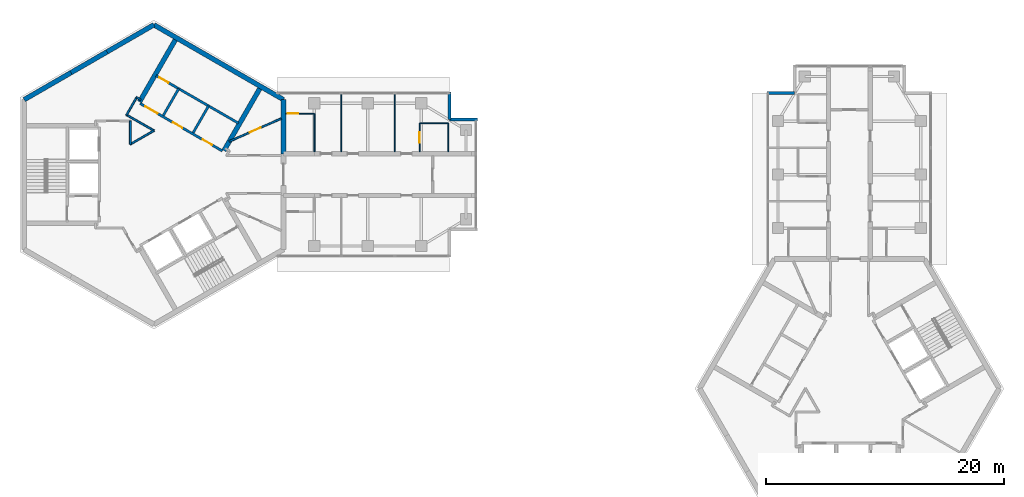
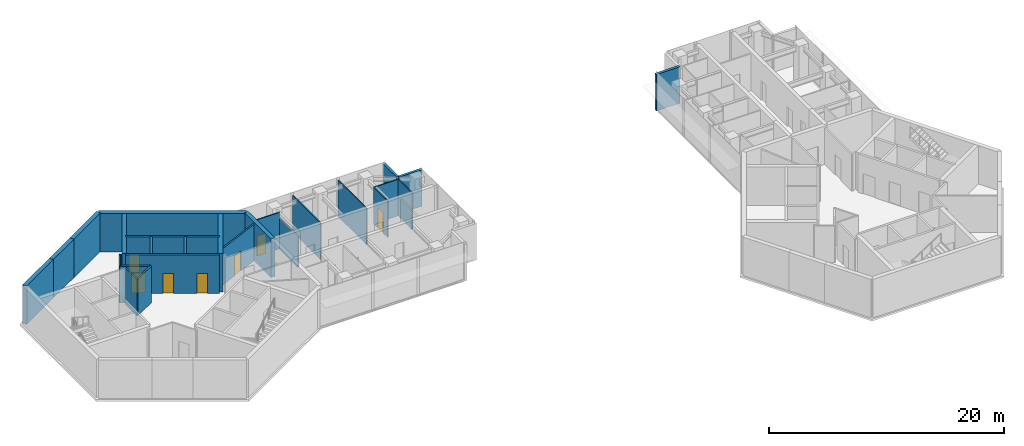
# One storey, part 7 of 11: 27 walls, 7 doors, 7 openings.
"""IFC4 building model written with IfcOpenShell, lengths in metres."""

import ifcopenshell
import ifcopenshell.guid

model = None  # the IFC model being written
_history = None  # IfcOwnerHistory: only IFC2X3 demands one
_inside = {}  # id of a spatial element -> (the spatial element, [elements in it])
_under = {}  # id of a project, library or spatial element -> (it, [spatial elements below it])
_declared = {}  # id of a project -> (the project, [libraries it declares])
_typed = {}  # id of a type object -> (the type object, [elements of that type])
_made_of = {}  # id of a material, layer set ... -> (it, [elements and type objects made of it])


def new_model(schema):
    """Start an empty IFC model of exactly this schema.

    Asked for "IFC4X3", IfcOpenShell would pick the latest addendum, in which some entities
    have other attributes; the version numbers below select the first issue.
    IFC2X3 requires an IfcOwnerHistory on every rooted entity: one is made here for all.
    """
    global model, _history
    if schema == "IFC4X3":
        model = ifcopenshell.file(schema_version=(4, 3, 0, 0))
    else:
        model = ifcopenshell.file(schema=schema)
    _inside.clear()
    _under.clear()
    _declared.clear()
    _typed.clear()
    _made_of.clear()
    _history = None
    if model.schema == "IFC2X3":
        org = make("IfcOrganization", Name="unknown")
        user = make(
            "IfcPersonAndOrganization",
            ThePerson=make("IfcPerson", FamilyName="unknown"),
            TheOrganization=org,
        )
        app = make(
            "IfcApplication",
            ApplicationDeveloper=org,
            Version="unknown",
            ApplicationFullName="unknown",
            ApplicationIdentifier="unknown",
        )
        _history = make(
            "IfcOwnerHistory",
            OwningUser=user,
            OwningApplication=app,
            ChangeAction="ADDED",
            CreationDate=0,
        )
    return model


def make(cls, **values):
    """One entity of the class cls with the attributes given. An attribute that is None is left unset."""
    return model.create_entity(
        cls, **{name: value for name, value in values.items() if value is not None}
    )


def rooted(cls, **values):
    """An entity with a GlobalId (a new one), such as an element, a storey or a relation."""
    return make(cls, GlobalId=ifcopenshell.guid.new(), OwnerHistory=_history, **values)


def si_unit(unit_type, name, prefix=None):
    """IfcSIUnit, for example si_unit("LENGTHUNIT", "METRE", prefix="MILLI")."""
    return make("IfcSIUnit", UnitType=unit_type, Prefix=prefix, Name=name)


def assignment(units):
    """IfcUnitAssignment: the units of a project."""
    return None if units is None else make("IfcUnitAssignment", Units=units)


def point(xyz):
    """IfcCartesianPoint."""
    return None if xyz is None else make("IfcCartesianPoint", Coordinates=xyz)


def direction(xyz):
    """IfcDirection."""
    return None if xyz is None else make("IfcDirection", DirectionRatios=xyz)


def frame(location, z_axis=None, x_axis=None):
    """IfcAxis2Placement3D, a coordinate frame: its origin and axes. An axis left out is left unset."""
    return make(
        "IfcAxis2Placement3D",
        Location=point(location),
        Axis=direction(z_axis),
        RefDirection=direction(x_axis),
    )


def frame_2d(location, x_axis=None):
    """IfcAxis2Placement2D, a coordinate frame in the plane: its origin and x axis."""
    return make(
        "IfcAxis2Placement2D", Location=point(location), RefDirection=direction(x_axis)
    )


def origin():
    """The frame at (0, 0, 0) with its axes left unset."""
    return frame((0.0, 0.0, 0.0))


def place(relative_to, where):
    """IfcLocalPlacement: puts the frame where relative to a parent placement (None: the world)."""
    return make(
        "IfcLocalPlacement", PlacementRelTo=relative_to, RelativePlacement=where
    )


def context(
    kind, dimensions, precision=None, world=None, true_north=None, identifier=None
):
    """IfcGeometricRepresentationContext, for example the 3D "Model" context."""
    return make(
        "IfcGeometricRepresentationContext",
        ContextIdentifier=identifier,
        ContextType=kind,
        CoordinateSpaceDimension=dimensions,
        Precision=precision,
        WorldCoordinateSystem=world,
        TrueNorth=true_north,
    )


def subcontext(parent, identifier, kind, view, scale=None):
    """IfcGeometricRepresentationSubContext, for example "Body" below "Model"."""
    return make(
        "IfcGeometricRepresentationSubContext",
        ContextIdentifier=identifier,
        ContextType=kind,
        ParentContext=parent,
        TargetScale=scale,
        TargetView=view,
    )


def project(units=None, contexts=None):
    """IfcProject with its units and contexts."""
    return rooted(
        "IfcProject",
        Name="project",
        RepresentationContexts=contexts,
        UnitsInContext=assignment(units),
    )


def spatial(cls, under=None, at=None, **own):
    """A site, building, storey or space (cls), placed at a placement, below another one or the project."""
    s = rooted(cls, ObjectPlacement=at, **own)
    if under is not None:
        _under.setdefault(under.id(), (under, []))[1].append(s)
    return s


def profile(cls, at=None, kind="AREA", **sizes):
    """A parametric profile (cls). Its sizes go by their IFC names, for example OverallWidth=200.0."""
    return make(cls, ProfileType=kind, Position=at, **sizes)


def rectangle(**sizes):
    """IfcRectangleProfileDef."""
    return profile("IfcRectangleProfileDef", **sizes)


def extrude(swept, where, along, depth):
    """IfcExtrudedAreaSolid: the profile swept, set in the frame where, extruded along a direction by depth."""
    return make(
        "IfcExtrudedAreaSolid",
        SweptArea=swept,
        Position=where,
        ExtrudedDirection=direction(along),
        Depth=depth,
    )


def shape(context_of_items, identifier, shape_type, items):
    """IfcShapeRepresentation: the items that make up one representation, for example the "Body"."""
    return make(
        "IfcShapeRepresentation",
        ContextOfItems=context_of_items,
        RepresentationIdentifier=identifier,
        RepresentationType=shape_type,
        Items=items,
    )


def material(Name=None, Category=None):
    """IfcMaterial."""
    return make("IfcMaterial", Name=Name, Category=Category)


def layer(
    of_material, thickness, ventilated=None, Name=None, Category=None, Priority=None
):
    """IfcMaterialLayer: one layer of a wall or slab, of a material (None: an air gap)."""
    return make(
        "IfcMaterialLayer",
        Material=of_material,
        LayerThickness=thickness,
        IsVentilated=ventilated,
        Name=Name,
        Category=Category,
        Priority=Priority,
    )


def layer_set(layers, Name=None):
    """IfcMaterialLayerSet."""
    return make("IfcMaterialLayerSet", MaterialLayers=layers, LayerSetName=Name)


def made_of(thing, what):
    """Note that an element or type object is made of a material, layer set ...; save() writes the relation."""
    if what is not None:
        _made_of.setdefault(what.id(), (what, []))[1].append(thing)
    return thing


def type_object(cls, material=None, **own):
    """A type object (cls), such as IfcWallType, which elements share."""
    return made_of(rooted(cls, **own), material)


def element(
    cls,
    number,
    at=None,
    inside=None,
    cuts=None,
    type_object=None,
    material=None,
    context=None,
    identifier="Body",
    shape_type=None,
    held_by="IfcProductDefinitionShape",
    body=None,
    shapes=None,
    **own,
):
    """One element of the class cls, such as IfcWall. Its Tag is "e" and its number.

    at: its placement. inside: the storey or other place that contains it. cuts: it is an
    opening in that element (IfcRelVoidsElement). A single representation is given by context,
    identifier, shape_type and body (its items); several are given by shapes. held_by: the class
    of the entity that holds the representations. save() writes the other relations.
    """
    e = rooted(cls, Tag="e%d" % number, ObjectPlacement=at, **own)
    if body is not None:
        shapes = [shape(context, identifier, shape_type, body)]
    if shapes is not None:
        e.Representation = make(held_by, Representations=shapes)
    if inside is not None:
        _inside.setdefault(inside.id(), (inside, []))[1].append(e)
    if cuts is not None:
        rooted(
            "IfcRelVoidsElement", RelatingBuildingElement=cuts, RelatedOpeningElement=e
        )
    if type_object is not None:
        _typed.setdefault(type_object.id(), (type_object, []))[1].append(e)
    return made_of(e, material)


def fill(opening, filler):
    """IfcRelFillsElement: the door or window that sits in an opening."""
    return rooted(
        "IfcRelFillsElement",
        RelatingOpeningElement=opening,
        RelatedBuildingElement=filler,
    )


def aggregate(whole, parts):
    """IfcRelAggregates: a whole, such as a stair, and the parts it consists of."""
    return rooted("IfcRelAggregates", RelatingObject=whole, RelatedObjects=parts)


def save(model, path):
    """Write the relations noted so far, then the file.

    IfcRelAggregates (storeys below a building ...), IfcRelContainedInSpatialStructure (elements
    in a storey), IfcRelDefinesByType, IfcRelAssociatesMaterial and IfcRelDeclares: one each for
    every whole, place, type object, material and project.
    """
    for whole, parts in _under.values():
        aggregate(whole, parts)
    for where, things in _inside.values():
        rooted(
            "IfcRelContainedInSpatialStructure",
            RelatedElements=things,
            RelatingStructure=where,
        )
    for kind, things in _typed.values():
        rooted("IfcRelDefinesByType", RelatedObjects=things, RelatingType=kind)
    for what, things in _made_of.values():
        rooted("IfcRelAssociatesMaterial", RelatedObjects=things, RelatingMaterial=what)
    for by, libraries in _declared.values():
        rooted("IfcRelDeclares", RelatingContext=by, RelatedDefinitions=libraries)
    model.write(path)


model = new_model("IFC4")

# Units and contexts
model_context = context("Model", 3, precision=1e-05, world=origin(), true_north=direction((0.0, 1.0)))
body_context = subcontext(model_context, "Body", "Model", "MODEL_VIEW")
ifc_project = project(units=[si_unit("LENGTHUNIT", "METRE"), si_unit("AREAUNIT", "SQUARE_METRE"), si_unit("VOLUMEUNIT", "CUBIC_METRE"), si_unit("PLANEANGLEUNIT", "RADIAN"), si_unit("MASSUNIT", "GRAM", prefix="KILO")], contexts=[model_context])

# Site, building, storey
site_placement = place(None, origin())
site = spatial("IfcSite", under=ifc_project, at=site_placement, CompositionType="ELEMENT")
building_placement = place(site_placement, origin())
building = spatial("IfcBuilding", under=site, at=building_placement, Name="Upepo Twin Towers", CompositionType="ELEMENT")
storey_placement = place(building_placement, frame((0.0, 0.0, 267.5)))
storey = spatial("IfcBuildingStorey", under=building, at=storey_placement, Name="L65", CompositionType="ELEMENT", Elevation=267.5)

# Walls
ifc_material_1 = material(Name="Concrete C60/75", Category="concrete")
ifc_layer_1 = layer(ifc_material_1, 0.39990234375)
ifc_layer_set_1 = layer_set([ifc_layer_1], Name="Concrete C60/75")
wall_type_1 = type_object("IfcWallType", Name="Core wall 400 RC", PredefinedType="SHEAR", material=ifc_layer_set_1)
wall_1_placement = place(storey_placement, frame((10.908447265625, 1.75, 0.0), z_axis=(0.0, 0.0, 1.0), x_axis=(0.0, 1.0, 0.0)))
element("IfcWall", 1, at=wall_1_placement, inside=storey, type_object=wall_type_1, Name="T1 core wall 000 L", PredefinedType="SHEAR", context=body_context, shape_type="SweptSolid", body=[
    extrude(rectangle(XDim=4.5478515625, YDim=0.39990234375, at=frame_2d((2.27392578125, 0.0))), origin(), (0.0, 0.0, 1.0), 4.0),
])
wall_2_placement = place(storey_placement, frame((10.908447265625, 6.2978515625, 0.0), z_axis=(0.0, 0.0, 1.0), x_axis=(-0.866021940709, 0.500005998175, 0.0)))
element("IfcWall", 2, at=wall_2_placement, inside=storey, type_object=wall_type_1, Name="T1 core wall 060", PredefinedType="SHEAR", context=body_context, shape_type="SweptSolid", body=[
    extrude(rectangle(XDim=12.595947265625, YDim=0.39990234375, at=frame_2d((6.2978515625, 0.0))), origin(), (0.0, 0.0, 1.0), 4.0),
])
wall_3_placement = place(storey_placement, frame((0.0, 12.595947265625, 0.0), z_axis=(0.0, 0.0, 1.0), x_axis=(-0.866011268655, -0.500024481964, 0.0)))
element("IfcWall", 3, at=wall_3_placement, inside=storey, type_object=wall_type_1, Name="T1 core wall 120 R", PredefinedType="SHEAR", context=body_context, shape_type="SweptSolid", body=[
    extrude(rectangle(XDim=4.548095703125, YDim=0.39990234375, at=frame_2d((2.27392578125, 0.0))), origin(), (0.0, 0.0, 1.0), 4.0),
])
wall_4_placement = place(storey_placement, frame((-3.938720703125, 10.32177734375, 0.0), z_axis=(0.0, 0.0, 1.0), x_axis=(-0.866019471182, -0.500010275428, 0.0)))
element("IfcWall", 4, at=wall_4_placement, inside=storey, type_object=wall_type_1, Name="T1 core wall 120", PredefinedType="SHEAR", context=body_context, shape_type="SweptSolid", body=[
    extrude(rectangle(XDim=3.5, YDim=0.39990234375, at=frame_2d((1.75, 0.0))), origin(), (0.0, 0.0, 1.0), 4.0),
])
wall_5_placement = place(storey_placement, frame((-6.9697265625, 8.57177734375, 0.0), z_axis=(0.0, 0.0, 1.0), x_axis=(-0.866034513004, -0.499984222037, 0.0)))
element("IfcWall", 5, at=wall_5_placement, inside=storey, type_object=wall_type_1, Name="T1 core wall 120 L", PredefinedType="SHEAR", context=body_context, shape_type="SweptSolid", body=[
    extrude(rectangle(XDim=4.548095703125, YDim=0.39990234375, at=frame_2d((2.27392578125, 0.0))), origin(), (0.0, 0.0, 1.0), 4.0),
])
ifc_material_2 = material(Name="Blockwork with anodised aluminium cladding", Category="masonry")
ifc_layer_2 = layer(ifc_material_2, 0.25)
ifc_layer_set_2 = layer_set([ifc_layer_2], Name="Notch cladding wall 250, pale metal")
wall_type_2 = type_object("IfcWallType", Name="Notch cladding wall 250, pale metal", PredefinedType="STANDARD", material=ifc_layer_set_2)
for number, where, z_axis, x_axis, name in (
    (6, (24.875, 6.949951171875, 0.0), (0.0, 0.0, 1.0), (0.0, -1.0, 0.0), "T1 L65 wing A notch wall L1"),
    (7, (24.875, 4.625, 0.0), (0.0, 0.0, 1.0), (1.0, 0.0, 0.0), "T1 L65 wing A notch wall L2"),
    (8, (51.550048828125, 6.875, 0.0), (0.0, 0.0, 1.0), (1.0, 0.0, 0.0), "T2 L65 wing A notch wall L1"),
):
    element("IfcWall", number, at=place(storey_placement, frame(where, z_axis=z_axis, x_axis=x_axis)), inside=storey, type_object=wall_type_2, Name=name, PredefinedType="STANDARD", context=body_context, shape_type="SweptSolid", body=[
        extrude(rectangle(XDim=2.324951171875, YDim=0.25, at=frame_2d((1.16259765625, 0.0))), origin(), (0.0, 0.0, 1.0), 3.800048828125),
    ])
ifc_material_3 = material(Name="Gypsum board on steel studs", Category="steel")
ifc_layer_3 = layer(ifc_material_3, 0.10009765625)
ifc_layer_set_3 = layer_set([ifc_layer_3], Name="Office partition 100 stud")
wall_type_3 = type_object("IfcWallType", Name="Office partition 100 stud", PredefinedType="PARTITIONING", material=ifc_layer_set_3)
for number, where, z_axis, x_axis, name in (
    (9, (15.75, 1.925048828125, 0.0), (0.0, 0.0, 1.0), (0.0, 1.0, 0.0), "T1 partition AL at 15.75"),
    (10, (20.25, 1.925048828125, 0.0), (0.0, 0.0, 1.0), (0.0, 1.0, 0.0), "T1 partition AL at 20.25"),
):
    element("IfcWall", number, at=place(storey_placement, frame(where, z_axis=z_axis, x_axis=x_axis)), inside=storey, type_object=wall_type_3, Name=name, PredefinedType="PARTITIONING", context=body_context, shape_type="SweptSolid", body=[
        extrude(rectangle(XDim=4.824951171875, YDim=0.10009765625, at=frame_2d((2.41259765625, 0.0))), origin(), (0.0, 0.0, 1.0), 3.800048828125),
    ])
wall_6_placement = place(storey_placement, frame((22.35009765625, 4.324951171875, 0.0), z_axis=(0.0, 0.0, 1.0), x_axis=(1.0, 0.0, 0.0)))
element("IfcWall", 11, at=wall_6_placement, inside=storey, type_object=wall_type_3, Name="T1 inner room partition AL at 22.35", PredefinedType="PARTITIONING", context=body_context, shape_type="SweptSolid", body=[
    extrude(rectangle(XDim=2.39990234375, YDim=0.10009765625, at=frame_2d((1.199951171875, 0.0))), origin(), (0.0, 0.0, 1.0), 3.800048828125),
])

# Wall, opening, door
wall_7_placement = place(storey_placement, frame((22.35009765625, 1.925048828125, 0.0), z_axis=(0.0, 0.0, 1.0), x_axis=(0.0, 1.0, 0.0)))
wall_7 = element("IfcWall", 12, at=wall_7_placement, inside=storey, type_object=wall_type_3, Name="T1 inner room partition AL end at 22.35", PredefinedType="PARTITIONING", context=body_context, shape_type="SweptSolid", body=[
    extrude(rectangle(XDim=2.39990234375, YDim=0.10009765625, at=frame_2d((1.199951171875, 0.0))), origin(), (0.0, 0.0, 1.0), 3.800048828125),
])
opening_1_placement = place(wall_7_placement, frame((0.75, 0.0, 0.0)))
opening_1 = element("IfcOpeningElement", 13, at=opening_1_placement, cuts=wall_7, Name="Opening D14", PredefinedType="OPENING", context=body_context, shape_type="SweptSolid", body=[
    extrude(rectangle(XDim=0.89990234375, YDim=2.10009765625, at=frame_2d((0.449951171875, 1.050048828125))), frame((0.0, 0.06005859375, 0.0), z_axis=(0.0, -1.0, 0.0), x_axis=(1.0, 0.0, 0.0)), (0.0, 0.0, 1.0), 0.1201171875),
])
ifc_material_4 = material(Name="Timber doorset", Category="wood")
door_type_1 = type_object("IfcDoorType", Name="Office door 900 FD30", OperationType="SINGLE_SWING_LEFT", PredefinedType="DOOR", material=ifc_material_4)
door_1_placement = place(opening_1_placement, origin())
door_1 = element("IfcDoor", 14, at=door_1_placement, inside=storey, type_object=door_type_1, Name="T1 L65 inner room door", OperationType="SINGLE_SWING_LEFT", OverallHeight=2.10009765625, OverallWidth=0.89990234375, PredefinedType="DOOR", context=body_context, shape_type="SweptSolid", body=[
    extrude(rectangle(XDim=0.89990234375, YDim=2.10009765625, at=frame_2d((0.449951171875, 1.050048828125))), frame((0.0, 0.02490234375, 0.0), z_axis=(0.0, -1.0, 0.0), x_axis=(1.0, 0.0, 0.0)), (0.0, 0.0, 1.0), 0.050048828125),
])
fill(opening_1, door_1)

# Wall
wall_8_placement = place(storey_placement, frame((24.75, 1.925048828125, 0.0), z_axis=(0.0, 0.0, 1.0), x_axis=(0.0, 1.0, 0.0)))
element("IfcWall", 15, at=wall_8_placement, inside=storey, type_object=wall_type_3, Name="T1 inner room partition AL end at 24.75", PredefinedType="PARTITIONING", context=body_context, shape_type="SweptSolid", body=[
    extrude(rectangle(XDim=2.39990234375, YDim=0.10009765625, at=frame_2d((1.199951171875, 0.0))), origin(), (0.0, 0.0, 1.0), 3.800048828125),
])

# Wall, opening, door
wall_9_placement = place(storey_placement, frame((11.10791015625, 5.125, 0.0), z_axis=(0.0, 0.0, 1.0), x_axis=(1.0, 0.0, 0.0)))
wall_9 = element("IfcWall", 16, at=wall_9_placement, inside=storey, type_object=wall_type_3, Name="T1 WC bay partition AL at 11.11", PredefinedType="PARTITIONING", context=body_context, shape_type="SweptSolid", body=[
    extrude(rectangle(XDim=2.400146484375, YDim=0.10009765625, at=frame_2d((1.2001953125, 0.0))), origin(), (0.0, 0.0, 1.0), 3.800048828125),
])
opening_2_placement = place(wall_9_placement, frame((0.14990234375, 0.0, 0.0)))
opening_2 = element("IfcOpeningElement", 17, at=opening_2_placement, cuts=wall_9, Name="Opening D14", PredefinedType="OPENING", context=body_context, shape_type="SweptSolid", body=[
    extrude(rectangle(XDim=0.89990234375, YDim=2.10009765625, at=frame_2d((0.449951171875, 1.050048828125))), frame((0.0, 0.06005859375, 0.0), z_axis=(0.0, -1.0, 0.0), x_axis=(1.0, 0.0, 0.0)), (0.0, 0.0, 1.0), 0.1201171875),
])
door_2_placement = place(opening_2_placement, origin())
door_2 = element("IfcDoor", 18, at=door_2_placement, inside=storey, type_object=door_type_1, Name="T1 L65 WC bay inner room door", OperationType="SINGLE_SWING_LEFT", OverallHeight=2.10009765625, OverallWidth=0.89990234375, PredefinedType="DOOR", context=body_context, shape_type="SweptSolid", body=[
    extrude(rectangle(XDim=0.89990234375, YDim=2.10009765625, at=frame_2d((0.449951171875, 1.050048828125))), frame((0.0, 0.02490234375, 0.0), z_axis=(0.0, -1.0, 0.0), x_axis=(1.0, 0.0, 0.0)), (0.0, 0.0, 1.0), 0.050048828125),
])
fill(opening_2, door_2)

# Wall
wall_10_placement = place(storey_placement, frame((13.508056640625, 1.925048828125, 0.0), z_axis=(0.0, 0.0, 1.0), x_axis=(0.0, 1.0, 0.0)))
element("IfcWall", 19, at=wall_10_placement, inside=storey, type_object=wall_type_3, Name="T1 WC bay partition AL end at 13.51", PredefinedType="PARTITIONING", context=body_context, shape_type="SweptSolid", body=[
    extrude(rectangle(XDim=3.199951171875, YDim=0.10009765625, at=frame_2d((1.60009765625, 0.0))), origin(), (0.0, 0.0, 1.0), 3.266845703125),
])

# Wall, openings, doors
ifc_material_5 = material(Name="Concrete C40/50", Category="concrete")
ifc_layer_4 = layer(ifc_material_5, 0.199951171875)
ifc_layer_set_4 = layer_set([ifc_layer_4], Name="Concrete C40/50")
wall_type_4 = type_object("IfcWallType", Name="Shaft wall 200 RC", PredefinedType="SHEAR", material=ifc_layer_set_4)
wall_11_placement = place(storey_placement, frame((5.76416015625, 1.983642578125, 0.0), z_axis=(0.0, 0.0, 1.0), x_axis=(-0.866026010844, 0.49999894854, 0.0)))
wall_11 = element("IfcWall", 20, at=wall_11_placement, inside=storey, type_object=wall_type_4, Name="T1 core W60 front wall", PredefinedType="SHEAR", context=body_context, shape_type="SweptSolid", body=[
    extrude(rectangle(XDim=8.0, YDim=0.199951171875, at=frame_2d((4.0, 0.0))), origin(), (0.0, 0.0, 1.0), 4.0),
])
opening_3_placement = place(wall_11_placement, frame((6.300048828125, 0.0, 0.0)))
opening_3 = element("IfcOpeningElement", 21, at=opening_3_placement, cuts=wall_11, Name="Opening D4", PredefinedType="OPENING", context=body_context, shape_type="SweptSolid", body=[
    extrude(rectangle(XDim=1.199951171875, YDim=2.10009765625, at=frame_2d((0.60009765625, 1.050048828125))), frame((0.0, 0.10986328125, 0.0), z_axis=(0.0, -1.0, 0.0), x_axis=(1.0, 0.0, 0.0)), (0.0, 0.0, 1.0), 0.219970703125),
])
opening_4_placement = place(wall_11_placement, frame((1.0, 0.0, 0.0)))
opening_4 = element("IfcOpeningElement", 22, at=opening_4_placement, cuts=wall_11, Name="Opening D9", PredefinedType="OPENING", context=body_context, shape_type="SweptSolid", body=[
    extrude(rectangle(XDim=0.89990234375, YDim=2.10009765625, at=frame_2d((0.449951171875, 1.050048828125))), frame((0.0, 0.10986328125, 0.0), z_axis=(0.0, -1.0, 0.0), x_axis=(1.0, 0.0, 0.0)), (0.0, 0.0, 1.0), 0.219970703125),
])
opening_5_placement = place(wall_11_placement, frame((3.89990234375, 0.0, 0.0)))
opening_5 = element("IfcOpeningElement", 23, at=opening_5_placement, cuts=wall_11, Name="Opening D9", PredefinedType="OPENING", context=body_context, shape_type="SweptSolid", body=[
    extrude(rectangle(XDim=0.89990234375, YDim=2.10009765625, at=frame_2d((0.449951171875, 1.050048828125))), frame((0.0, 0.10986328125, 0.0), z_axis=(0.0, -1.0, 0.0), x_axis=(1.0, 0.0, 0.0)), (0.0, 0.0, 1.0), 0.219970703125),
])
ifc_material_6 = material(Name="Timber doorset", Category="wood")
door_type_2 = type_object("IfcDoorType", Name="Lobby door 1200 FD60", OperationType="SINGLE_SWING_LEFT", PredefinedType="DOOR", material=ifc_material_6)
door_3_placement = place(opening_3_placement, origin())
door_3 = element("IfcDoor", 24, at=door_3_placement, inside=storey, type_object=door_type_2, Name="T1 L65 W60 lobby door", OperationType="SINGLE_SWING_RIGHT", OverallHeight=2.10009765625, OverallWidth=1.199951171875, PredefinedType="DOOR", context=body_context, shape_type="SweptSolid", body=[
    extrude(rectangle(XDim=1.199951171875, YDim=2.10009765625, at=frame_2d((0.60009765625, 1.050048828125))), frame((0.0, 0.02490234375, 0.0), z_axis=(0.0, -1.0, 0.0), x_axis=(1.0, 0.0, 0.0)), (0.0, 0.0, 1.0), 0.050048828125),
])
fill(opening_3, door_3)
ifc_material_7 = material(Name="Timber doorset", Category="wood")
door_type_3 = type_object("IfcDoorType", Name="Riser door 900 FD60", OperationType="SINGLE_SWING_LEFT", PredefinedType="DOOR", material=ifc_material_7)
door_4_placement = place(opening_4_placement, origin())
door_4 = element("IfcDoor", 25, at=door_4_placement, inside=storey, type_object=door_type_3, Name="T1 L65 archive store door", OperationType="SINGLE_SWING_LEFT", OverallHeight=2.10009765625, OverallWidth=0.89990234375, PredefinedType="DOOR", context=body_context, shape_type="SweptSolid", body=[
    extrude(rectangle(XDim=0.89990234375, YDim=2.10009765625, at=frame_2d((0.449951171875, 1.050048828125))), frame((0.0, 0.02490234375, 0.0), z_axis=(0.0, -1.0, 0.0), x_axis=(1.0, 0.0, 0.0)), (0.0, 0.0, 1.0), 0.050048828125),
])
fill(opening_4, door_4)
door_5_placement = place(opening_5_placement, origin())
door_5 = element("IfcDoor", 26, at=door_5_placement, inside=storey, type_object=door_type_3, Name="T1 L65 pantry store door", OperationType="SINGLE_SWING_RIGHT", OverallHeight=2.10009765625, OverallWidth=0.89990234375, PredefinedType="DOOR", context=body_context, shape_type="SweptSolid", body=[
    extrude(rectangle(XDim=0.89990234375, YDim=2.10009765625, at=frame_2d((0.449951171875, 1.050048828125))), frame((0.0, 0.02490234375, 0.0), z_axis=(0.0, -1.0, 0.0), x_axis=(1.0, 0.0, 0.0)), (0.0, 0.0, 1.0), 0.050048828125),
])
fill(opening_5, door_5)

# Walls
for number, where, z_axis, x_axis, name in (
    (27, (3.302734375, 3.520263671875, 0.0), (0.0, 0.0, 1.0), (0.499936506574, 0.866062058628, 0.0), "T1 core W60 shaft divider"),
    (28, (0.791259765625, 4.97021484375, 0.0), (0.0, 0.0, 1.0), (0.499936506574, 0.866062058628, 0.0), "T1 core W60 lobby wall"),
):
    element("IfcWall", number, at=place(storey_placement, frame(where, z_axis=z_axis, x_axis=x_axis)), inside=storey, type_object=wall_type_4, Name=name, PredefinedType="SHEAR", context=body_context, shape_type="SweptSolid", body=[
        extrude(rectangle(XDim=2.599853515625, YDim=0.199951171875, at=frame_2d((1.2998046875, 0.0))), origin(), (0.0, 0.0, 1.0), 4.0),
    ])

# Wall, opening, door
wall_12_placement = place(storey_placement, frame((7.114013671875, 4.322021484375, 0.0), z_axis=(0.0, 0.0, 1.0), x_axis=(-0.866026010844, 0.49999894854, 0.0)))
wall_12 = element("IfcWall", 29, at=wall_12_placement, inside=storey, type_object=wall_type_4, Name="T1 core W60 stair wall", PredefinedType="SHEAR", context=body_context, shape_type="SweptSolid", body=[
    extrude(rectangle(XDim=8.0, YDim=0.199951171875, at=frame_2d((4.0, 0.0))), origin(), (0.0, 0.0, 1.0), 4.0),
])
opening_6_placement = place(wall_12_placement, frame((6.800048828125, 0.0, 0.0)))
opening_6 = element("IfcOpeningElement", 30, at=opening_6_placement, cuts=wall_12, Name="Opening D9", PredefinedType="OPENING", context=body_context, shape_type="SweptSolid", body=[
    extrude(rectangle(XDim=0.89990234375, YDim=2.10009765625, at=frame_2d((0.449951171875, 1.050048828125))), frame((0.0, 0.10986328125, 0.0), z_axis=(0.0, -1.0, 0.0), x_axis=(1.0, 0.0, 0.0)), (0.0, 0.0, 1.0), 0.219970703125),
])
door_6_placement = place(opening_6_placement, origin())
door_6 = element("IfcDoor", 31, at=door_6_placement, inside=storey, type_object=door_type_3, Name="T1 L65 riser door", OperationType="SINGLE_SWING_RIGHT", OverallHeight=2.10009765625, OverallWidth=0.89990234375, PredefinedType="DOOR", context=body_context, shape_type="SweptSolid", body=[
    extrude(rectangle(XDim=0.89990234375, YDim=2.10009765625, at=frame_2d((0.449951171875, 1.050048828125))), frame((0.0, 0.02490234375, 0.0), z_axis=(0.0, -1.0, 0.0), x_axis=(1.0, 0.0, 0.0)), (0.0, 0.0, 1.0), 0.050048828125),
])
fill(opening_6, door_6)

# Walls
ifc_material_8 = material(Name="Concrete C40/50", Category="concrete")
ifc_layer_5 = layer(ifc_material_8, 0.39990234375)
ifc_layer_set_5 = layer_set([ifc_layer_5], Name="Concrete C40/50")
wall_type_5 = type_object("IfcWallType", Name="Shaft wall 400 RC", PredefinedType="SHEAR", material=ifc_layer_set_5)
for number, where, z_axis, x_axis, name in (
    (32, (-1.20068359375, 6.120361328125, 0.0), (0.0, 0.0, 1.0), (0.499997979876, 0.866026570101, 0.0), "T1 core W60 side wall N"),
    (33, (5.900634765625, 2.020263671875, 0.0), (0.0, 0.0, 1.0), (0.499997979876, 0.866026570101, 0.0), "T1 core W60 side wall S"),
):
    element("IfcWall", number, at=place(storey_placement, frame(where, z_axis=z_axis, x_axis=x_axis)), inside=storey, type_object=wall_type_5, Name=name, PredefinedType="SHEAR", context=body_context, shape_type="SweptSolid", body=[
        extrude(rectangle(XDim=6.00830078125, YDim=0.39990234375, at=frame_2d((3.004150390625, 0.0))), origin(), (0.0, 0.0, 1.0), 4.0),
    ])
ifc_material_9 = material(Name="Gypsum board on steel studs", Category="steel")
ifc_layer_6 = layer(ifc_material_9, 0.14990234375)
ifc_layer_set_6 = layer_set([ifc_layer_6], Name="Teaching partition 150 acoustic")
wall_type_6 = type_object("IfcWallType", Name="Teaching partition 150 acoustic", PredefinedType="PARTITIONING", material=ifc_layer_set_6)
wall_13_placement = place(storey_placement, frame((-1.97509765625, 4.52001953125, 0.0), z_axis=(0.0, 0.0, 1.0), x_axis=(0.0, -1.0, 0.0)))
element("IfcWall", 34, at=wall_13_placement, inside=storey, type_object=wall_type_6, Name="T1 core room partition 8", PredefinedType="PARTITIONING", context=body_context, shape_type="SweptSolid", body=[
    extrude(rectangle(XDim=1.985107421875, YDim=0.14990234375, at=frame_2d((0.99267578125, 0.0))), origin(), (0.0, 0.0, 1.0), 3.800048828125),
])
wall_14_placement = place(storey_placement, frame((-1.992431640625, 2.544921875, 0.0), z_axis=(0.0, 0.0, 1.0), x_axis=(0.866059450854, 0.499941024108, 0.0)))
element("IfcWall", 35, at=wall_14_placement, inside=storey, type_object=wall_type_6, Name="T1 core room partition 9", PredefinedType="PARTITIONING", context=body_context, shape_type="SweptSolid", body=[
    extrude(rectangle(XDim=2.320556640625, YDim=0.14990234375, at=frame_2d((1.16015625, 0.0))), origin(), (0.0, 0.0, 1.0), 3.800048828125),
])
wall_15_placement = place(storey_placement, frame((0.017333984375, 3.68505859375, 0.0), z_axis=(0.0, 0.0, 1.0), x_axis=(-0.866036099759, 0.499981473571, 0.0)))
element("IfcWall", 36, at=wall_15_placement, inside=storey, type_object=wall_type_6, Name="T1 core room partition 10", PredefinedType="PARTITIONING", context=body_context, shape_type="SweptSolid", body=[
    extrude(rectangle(XDim=2.6923828125, YDim=0.14990234375, at=frame_2d((1.34619140625, 0.0))), origin(), (0.0, 0.0, 1.0), 3.800048828125),
])
wall_16_placement = place(storey_placement, frame((-2.30712890625, 5.00390625, 0.0), z_axis=(0.0, 0.0, 1.0), x_axis=(0.500062521093, 0.865989304205, 0.0)))
element("IfcWall", 37, at=wall_16_placement, inside=storey, type_object=wall_type_6, Name="T1 core room partition 11", PredefinedType="PARTITIONING", context=body_context, shape_type="SweptSolid", body=[
    extrude(rectangle(XDim=1.739990234375, YDim=0.14990234375, at=frame_2d((0.8701171875, 0.0))), origin(), (0.0, 0.0, 1.0), 3.800048828125),
])
wall_17_placement = place(storey_placement, frame((-1.46435546875, 6.50341796875, 0.0), z_axis=(0.0, 0.0, 1.0), x_axis=(0.866138304741, -0.499804398801, 0.0)))
element("IfcWall", 38, at=wall_17_placement, inside=storey, type_object=wall_type_6, Name="T1 core room partition 12", PredefinedType="PARTITIONING", context=body_context, shape_type="SweptSolid", body=[
    extrude(rectangle(XDim=0.429931640625, YDim=0.14990234375, at=frame_2d((0.21484375, 0.0))), origin(), (0.0, 0.0, 1.0), 3.800048828125),
])

# Wall, opening, door
wall_18_placement = place(storey_placement, frame((6.344482421875, 2.7890625, 0.0), z_axis=(0.0, 0.0, 1.0), x_axis=(0.915438841787, 0.402457111937, 0.0)))
wall_18 = element("IfcWall", 39, at=wall_18_placement, inside=storey, type_object=wall_type_6, Name="T1 core room partition 19", PredefinedType="PARTITIONING", context=body_context, shape_type="SweptSolid", body=[
    extrude(rectangle(XDim=4.766845703125, YDim=0.14990234375, at=frame_2d((2.38330078125, 0.0))), origin(), (0.0, 0.0, 1.0), 3.800048828125),
])
opening_7_placement = place(wall_18_placement, frame((1.88330078125, 0.0, 0.0)))
opening_7 = element("IfcOpeningElement", 40, at=opening_7_placement, cuts=wall_18, Name="Opening D1", PredefinedType="OPENING", context=body_context, shape_type="SweptSolid", body=[
    extrude(rectangle(XDim=1.0, YDim=2.10009765625, at=frame_2d((0.5, 1.050048828125))), frame((0.0, 0.0849609375, 0.0), z_axis=(0.0, -1.0, 0.0), x_axis=(1.0, 0.0, 0.0)), (0.0, 0.0, 1.0), 0.169921875),
])
ifc_material_10 = material(Name="Timber doorset", Category="wood")
door_type_4 = type_object("IfcDoorType", Name="Room door 1000 FD30", OperationType="SINGLE_SWING_LEFT", PredefinedType="DOOR", material=ifc_material_10)
door_7_placement = place(opening_7_placement, origin())
door_7 = element("IfcDoor", 41, at=door_7_placement, inside=storey, type_object=door_type_4, Name="T1 L65 core room door K5", OperationType="SINGLE_SWING_LEFT", OverallHeight=2.10009765625, OverallWidth=1.0, PredefinedType="DOOR", context=body_context, shape_type="SweptSolid", body=[
    extrude(rectangle(XDim=1.0, YDim=2.10009765625, at=frame_2d((0.5, 1.050048828125))), frame((0.0, 0.02490234375, 0.0), z_axis=(0.0, -1.0, 0.0), x_axis=(1.0, 0.0, 0.0)), (0.0, 0.0, 1.0), 0.050048828125),
])
fill(opening_7, door_7)

save(model, "model.ifc")
